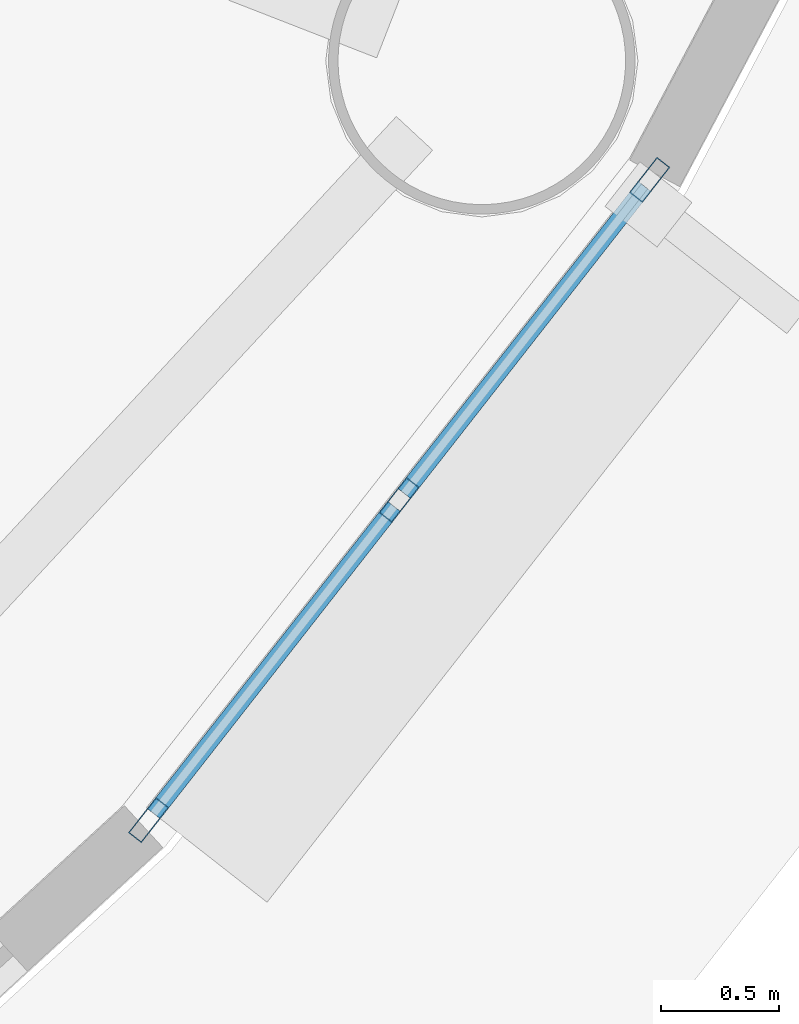
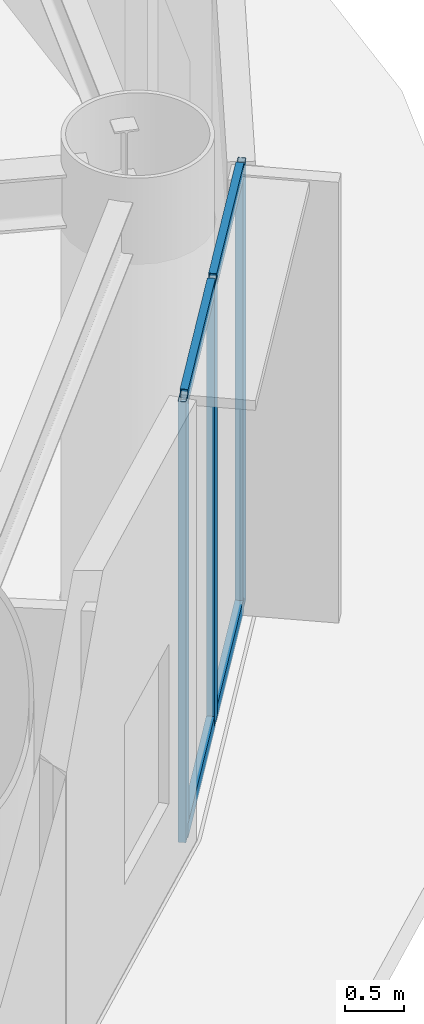
# One storey, part 14 of 38: 7 members, 1 element without a shape of its own.
"""IFC4 building model written with IfcOpenShell, lengths in metres."""

import ifcopenshell
import ifcopenshell.guid

model = None  # the IFC model being written
_history = None  # IfcOwnerHistory: only IFC2X3 demands one
_inside = {}  # id of a spatial element -> (the spatial element, [elements in it])
_under = {}  # id of a project, library or spatial element -> (it, [spatial elements below it])
_declared = {}  # id of a project -> (the project, [libraries it declares])
_typed = {}  # id of a type object -> (the type object, [elements of that type])
_made_of = {}  # id of a material, layer set ... -> (it, [elements and type objects made of it])


def new_model(schema):
    """Start an empty IFC model of exactly this schema.

    Asked for "IFC4X3", IfcOpenShell would pick the latest addendum, in which some entities
    have other attributes; the version numbers below select the first issue.
    IFC2X3 requires an IfcOwnerHistory on every rooted entity: one is made here for all.
    """
    global model, _history
    if schema == "IFC4X3":
        model = ifcopenshell.file(schema_version=(4, 3, 0, 0))
    else:
        model = ifcopenshell.file(schema=schema)
    _inside.clear()
    _under.clear()
    _declared.clear()
    _typed.clear()
    _made_of.clear()
    _history = None
    if model.schema == "IFC2X3":
        org = make("IfcOrganization", Name="unknown")
        user = make(
            "IfcPersonAndOrganization",
            ThePerson=make("IfcPerson", FamilyName="unknown"),
            TheOrganization=org,
        )
        app = make(
            "IfcApplication",
            ApplicationDeveloper=org,
            Version="unknown",
            ApplicationFullName="unknown",
            ApplicationIdentifier="unknown",
        )
        _history = make(
            "IfcOwnerHistory",
            OwningUser=user,
            OwningApplication=app,
            ChangeAction="ADDED",
            CreationDate=0,
        )
    return model


def make(cls, **values):
    """One entity of the class cls with the attributes given. An attribute that is None is left unset."""
    return model.create_entity(
        cls, **{name: value for name, value in values.items() if value is not None}
    )


def rooted(cls, **values):
    """An entity with a GlobalId (a new one), such as an element, a storey or a relation."""
    return make(cls, GlobalId=ifcopenshell.guid.new(), OwnerHistory=_history, **values)


def si_unit(unit_type, name, prefix=None):
    """IfcSIUnit, for example si_unit("LENGTHUNIT", "METRE", prefix="MILLI")."""
    return make("IfcSIUnit", UnitType=unit_type, Prefix=prefix, Name=name)


def assignment(units):
    """IfcUnitAssignment: the units of a project."""
    return None if units is None else make("IfcUnitAssignment", Units=units)


def point(xyz):
    """IfcCartesianPoint."""
    return None if xyz is None else make("IfcCartesianPoint", Coordinates=xyz)


def direction(xyz):
    """IfcDirection."""
    return None if xyz is None else make("IfcDirection", DirectionRatios=xyz)


def frame(location, z_axis=None, x_axis=None):
    """IfcAxis2Placement3D, a coordinate frame: its origin and axes. An axis left out is left unset."""
    return make(
        "IfcAxis2Placement3D",
        Location=point(location),
        Axis=direction(z_axis),
        RefDirection=direction(x_axis),
    )


def frame_2d(location, x_axis=None):
    """IfcAxis2Placement2D, a coordinate frame in the plane: its origin and x axis."""
    return make(
        "IfcAxis2Placement2D", Location=point(location), RefDirection=direction(x_axis)
    )


def origin():
    """The frame at (0, 0, 0) with its axes left unset."""
    return frame((0.0, 0.0, 0.0))


def origin_2d():
    """The frame at (0, 0) in the plane with its x axis left unset."""
    return frame_2d((0.0, 0.0))


def place(relative_to, where):
    """IfcLocalPlacement: puts the frame where relative to a parent placement (None: the world)."""
    return make(
        "IfcLocalPlacement", PlacementRelTo=relative_to, RelativePlacement=where
    )


def context(
    kind, dimensions, precision=None, world=None, true_north=None, identifier=None
):
    """IfcGeometricRepresentationContext, for example the 3D "Model" context."""
    return make(
        "IfcGeometricRepresentationContext",
        ContextIdentifier=identifier,
        ContextType=kind,
        CoordinateSpaceDimension=dimensions,
        Precision=precision,
        WorldCoordinateSystem=world,
        TrueNorth=true_north,
    )


def subcontext(parent, identifier, kind, view, scale=None):
    """IfcGeometricRepresentationSubContext, for example "Body" below "Model"."""
    return make(
        "IfcGeometricRepresentationSubContext",
        ContextIdentifier=identifier,
        ContextType=kind,
        ParentContext=parent,
        TargetScale=scale,
        TargetView=view,
    )


def project(units=None, contexts=None):
    """IfcProject with its units and contexts."""
    return rooted(
        "IfcProject",
        Name="project",
        RepresentationContexts=contexts,
        UnitsInContext=assignment(units),
    )


def spatial(cls, under=None, at=None, **own):
    """A site, building, storey or space (cls), placed at a placement, below another one or the project."""
    s = rooted(cls, ObjectPlacement=at, **own)
    if under is not None:
        _under.setdefault(under.id(), (under, []))[1].append(s)
    return s


def profile(cls, at=None, kind="AREA", **sizes):
    """A parametric profile (cls). Its sizes go by their IFC names, for example OverallWidth=200.0."""
    return make(cls, ProfileType=kind, Position=at, **sizes)


def hollow_rectangle(**sizes):
    """IfcRectangleHollowProfileDef."""
    return profile("IfcRectangleHollowProfileDef", **sizes)


def extrude(swept, where, along, depth):
    """IfcExtrudedAreaSolid: the profile swept, set in the frame where, extruded along a direction by depth."""
    return make(
        "IfcExtrudedAreaSolid",
        SweptArea=swept,
        Position=where,
        ExtrudedDirection=direction(along),
        Depth=depth,
    )


def shape(context_of_items, identifier, shape_type, items):
    """IfcShapeRepresentation: the items that make up one representation, for example the "Body"."""
    return make(
        "IfcShapeRepresentation",
        ContextOfItems=context_of_items,
        RepresentationIdentifier=identifier,
        RepresentationType=shape_type,
        Items=items,
    )


def source(mapping_origin, context_of_items, identifier, shape_type, items):
    """IfcRepresentationMap: a shape defined once, which mapped items show again and again."""
    return make(
        "IfcRepresentationMap",
        MappingOrigin=mapping_origin,
        MappedRepresentation=shape(context_of_items, identifier, shape_type, items),
    )


def transform(
    local_origin,
    x_axis=None,
    y_axis=None,
    z_axis=None,
    scale=None,
    scale2=None,
    scale3=None,
    uniform=True,
):
    """IfcCartesianTransformationOperator3D, or its non-uniform kind. x_axis, y_axis, z_axis: its Axis1, 2, 3."""
    if uniform:
        return make(
            "IfcCartesianTransformationOperator3D",
            Axis1=direction(x_axis),
            Axis2=direction(y_axis),
            LocalOrigin=point(local_origin),
            Scale=scale,
            Axis3=direction(z_axis),
        )
    return make(
        "IfcCartesianTransformationOperator3DnonUniform",
        Axis1=direction(x_axis),
        Axis2=direction(y_axis),
        LocalOrigin=point(local_origin),
        Scale=scale,
        Axis3=direction(z_axis),
        Scale2=scale2,
        Scale3=scale3,
    )


def mapped(mapping_source, mapping_target):
    """IfcMappedItem: shows the shape of a source again, moved by a transform."""
    return make(
        "IfcMappedItem", MappingSource=mapping_source, MappingTarget=mapping_target
    )


def material(Name=None, Category=None):
    """IfcMaterial."""
    return make("IfcMaterial", Name=Name, Category=Category)


def layer(
    of_material, thickness, ventilated=None, Name=None, Category=None, Priority=None
):
    """IfcMaterialLayer: one layer of a wall or slab, of a material (None: an air gap)."""
    return make(
        "IfcMaterialLayer",
        Material=of_material,
        LayerThickness=thickness,
        IsVentilated=ventilated,
        Name=Name,
        Category=Category,
        Priority=Priority,
    )


def layer_set(layers, Name=None):
    """IfcMaterialLayerSet."""
    return make("IfcMaterialLayerSet", MaterialLayers=layers, LayerSetName=Name)


def material_profile(
    of_material, cross_section, Name=None, Category=None, Priority=None
):
    """IfcMaterialProfile: a cross section and its material."""
    return make(
        "IfcMaterialProfile",
        Name=Name,
        Material=of_material,
        Profile=cross_section,
        Priority=Priority,
        Category=Category,
    )


def profile_set(profiles, Name=None, composite=None):
    """IfcMaterialProfileSet."""
    return make(
        "IfcMaterialProfileSet",
        Name=Name,
        MaterialProfiles=profiles,
        CompositeProfile=composite,
    )


def made_of(thing, what):
    """Note that an element or type object is made of a material, layer set ...; save() writes the relation."""
    if what is not None:
        _made_of.setdefault(what.id(), (what, []))[1].append(thing)
    return thing


def type_object(cls, material=None, **own):
    """A type object (cls), such as IfcWallType, which elements share."""
    return made_of(rooted(cls, **own), material)


def element(
    cls,
    number,
    at=None,
    inside=None,
    cuts=None,
    type_object=None,
    material=None,
    context=None,
    identifier="Body",
    shape_type=None,
    held_by="IfcProductDefinitionShape",
    body=None,
    shapes=None,
    **own,
):
    """One element of the class cls, such as IfcWall. Its Tag is "e" and its number.

    at: its placement. inside: the storey or other place that contains it. cuts: it is an
    opening in that element (IfcRelVoidsElement). A single representation is given by context,
    identifier, shape_type and body (its items); several are given by shapes. held_by: the class
    of the entity that holds the representations. save() writes the other relations.
    """
    e = rooted(cls, Tag="e%d" % number, ObjectPlacement=at, **own)
    if body is not None:
        shapes = [shape(context, identifier, shape_type, body)]
    if shapes is not None:
        e.Representation = make(held_by, Representations=shapes)
    if inside is not None:
        _inside.setdefault(inside.id(), (inside, []))[1].append(e)
    if cuts is not None:
        rooted(
            "IfcRelVoidsElement", RelatingBuildingElement=cuts, RelatedOpeningElement=e
        )
    if type_object is not None:
        _typed.setdefault(type_object.id(), (type_object, []))[1].append(e)
    return made_of(e, material)


def aggregate(whole, parts):
    """IfcRelAggregates: a whole, such as a stair, and the parts it consists of."""
    return rooted("IfcRelAggregates", RelatingObject=whole, RelatedObjects=parts)


def save(model, path):
    """Write the relations noted so far, then the file.

    IfcRelAggregates (storeys below a building ...), IfcRelContainedInSpatialStructure (elements
    in a storey), IfcRelDefinesByType, IfcRelAssociatesMaterial and IfcRelDeclares: one each for
    every whole, place, type object, material and project.
    """
    for whole, parts in _under.values():
        aggregate(whole, parts)
    for where, things in _inside.values():
        rooted(
            "IfcRelContainedInSpatialStructure",
            RelatedElements=things,
            RelatingStructure=where,
        )
    for kind, things in _typed.values():
        rooted("IfcRelDefinesByType", RelatedObjects=things, RelatingType=kind)
    for what, things in _made_of.values():
        rooted("IfcRelAssociatesMaterial", RelatedObjects=things, RelatingMaterial=what)
    for by, libraries in _declared.values():
        rooted("IfcRelDeclares", RelatingContext=by, RelatedDefinitions=libraries)
    model.write(path)


model = new_model("IFC4")

# Units and contexts
model_context = context("Model", 3, precision=1e-05, world=origin(), true_north=direction((0.0, 1.0)))
body_context = subcontext(model_context, "Body", "Model", "MODEL_VIEW")
ifc_project = project(units=[si_unit("LENGTHUNIT", "METRE"), si_unit("AREAUNIT", "SQUARE_METRE"), si_unit("VOLUMEUNIT", "CUBIC_METRE"), si_unit("PLANEANGLEUNIT", "RADIAN"), si_unit("MASSUNIT", "GRAM", prefix="KILO")], contexts=[model_context])

# Site, building, storey
site_placement = place(None, origin())
site = spatial("IfcSite", under=ifc_project, at=site_placement, CompositionType="ELEMENT")
building_placement = place(site_placement, origin())
building = spatial("IfcBuilding", under=site, at=building_placement, Name="Linh Dai School and Residence Tower", CompositionType="ELEMENT")
storey_placement = place(building_placement, frame((0.0, 0.0, 151.35009765625)))
storey = spatial("IfcBuildingStorey", under=building, at=storey_placement, Name="L36", CompositionType="ELEMENT", Elevation=151.35009765625)

# Curtain wall, members
ifc_material_1 = material(Name="Aluminium Anodised Curtain Wall", Category="aluminium")
ifc_layer = layer(ifc_material_1, 0.18994140625)
ifc_layer_set = layer_set([ifc_layer], Name="Aluminium Anodised Curtain Wall")
curtain_wall_type = type_object("IfcCurtainWallType", Name="CW-SYS-5", PredefinedType="USERDEFINED", material=ifc_layer_set)
curtain_wall_placement = place(storey_placement, origin())
curtain_wall = element("IfcCurtainWall", 1, at=curtain_wall_placement, inside=storey, type_object=curtain_wall_type, Name="L36 CW5 Curtain Wall 37", ObjectType="UNITISED CURTAIN WALL", PredefinedType="USERDEFINED")
ifc_material_2 = material(Name="Aluminium Alloy 6063-T6", Category="aluminium")
ifc_material_profile_1 = material_profile(ifc_material_2, hollow_rectangle(XDim=0.070068359375, YDim=0.18994140625, WallThickness=0.00390625, at=origin_2d()), Name="RHS 190x70x4")
ifc_profile_set_1 = profile_set([ifc_material_profile_1], Name="Aluminium Alloy 6063-T6")
member_type_1 = type_object("IfcMemberType", Name="CW-SYS-5-MUL", PredefinedType="MULLION", material=ifc_profile_set_1)
shared_shape_1 = source(origin(), body_context, "Body", "SweptSolid", [
    extrude(hollow_rectangle(XDim=0.070068359375, YDim=0.18994140625, WallThickness=0.00390625, at=origin_2d()), origin(), (0.0, 0.0, 1.0), 4.5498046875),
])
member_1_placement = place(storey_placement, frame((59.574462890625, 17.583984375, 0.0), z_axis=(0.0, 0.0, 1.0), x_axis=(0.787522158319, -0.616286337798, 0.0)))
member_1 = element("IfcMember", 2, at=member_1_placement, type_object=member_type_1, Name="CW5 mullion 1", PredefinedType="MULLION", context=body_context, shape_type="MappedRepresentation", body=[
    mapped(shared_shape_1, transform((0.0, 0.0, 0.0), x_axis=(1.0, 0.0, 0.0), y_axis=(0.0, 1.0, 0.0), z_axis=(0.0, 0.0, 1.0), scale=1.0)),
])
member_2_placement = place(storey_placement, frame((58.51220703125, 16.2265625, 0.0), z_axis=(0.0, 0.0, 1.0), x_axis=(0.787522158319, -0.616286337798, 0.0)))
member_2 = element("IfcMember", 3, at=member_2_placement, type_object=member_type_1, Name="CW5 mullion 2", PredefinedType="MULLION", context=body_context, shape_type="MappedRepresentation", body=[
    mapped(shared_shape_1, transform((0.0, 0.0, 0.0), x_axis=(1.0, 0.0, 0.0), y_axis=(0.0, 1.0, 0.0), z_axis=(0.0, 0.0, 1.0), scale=1.0)),
])
member_3_placement = place(storey_placement, frame((57.44970703125, 14.868896484375, 0.0), z_axis=(0.0, 0.0, 1.0), x_axis=(0.787522158319, -0.616286337798, 0.0)))
member_3 = element("IfcMember", 4, at=member_3_placement, type_object=member_type_1, Name="CW5 mullion 3", PredefinedType="MULLION", context=body_context, shape_type="MappedRepresentation", body=[
    mapped(shared_shape_1, transform((0.0, 0.0, 0.0), x_axis=(1.0, 0.0, 0.0), y_axis=(0.0, 1.0, 0.0), z_axis=(0.0, 0.0, 1.0), scale=1.0)),
])
ifc_material_profile_2 = material_profile(ifc_material_2, hollow_rectangle(XDim=0.070068359375, YDim=0.14990234375, WallThickness=0.00390625, at=origin_2d()), Name="RHS 150x70x4")
ifc_profile_set_2 = profile_set([ifc_material_profile_2], Name="Aluminium Alloy 6063-T6")
member_type_2 = type_object("IfcMemberType", Name="CW-SYS-5-TRN", PredefinedType="USERDEFINED", material=ifc_profile_set_2)
shared_shape_2 = source(origin(), body_context, "Body", "SweptSolid", [
    extrude(hollow_rectangle(XDim=0.070068359375, YDim=0.14990234375, WallThickness=0.00390625, at=origin_2d()), origin(), (0.0, 0.0, 1.0), 1.65380859375),
])
member_4_placement = place(storey_placement, frame((59.552978515625, 17.556396484375, 0.034912109375), z_axis=(-0.616360009109, -0.787464500261, 0.0), x_axis=(0.787464500261, -0.616360009109, 0.0)))
member_4 = element("IfcMember", 5, at=member_4_placement, type_object=member_type_2, Name="CW5 transom 1.1", ObjectType="TRANSOM", PredefinedType="USERDEFINED", context=body_context, shape_type="MappedRepresentation", body=[
    mapped(shared_shape_2, transform((0.0, 0.0, 0.0), x_axis=(1.0, 0.0, 0.0), y_axis=(0.0, 1.0, 0.0), z_axis=(0.0, 0.0, 1.0), scale=1.0)),
])
member_5_placement = place(storey_placement, frame((59.552978515625, 17.556396484375, 4.514892578125), z_axis=(-0.616360009109, -0.787464500261, 0.0), x_axis=(0.787464500261, -0.616360009109, 0.0)))
member_5 = element("IfcMember", 6, at=member_5_placement, type_object=member_type_2, Name="CW5 transom 1.2", ObjectType="TRANSOM", PredefinedType="USERDEFINED", context=body_context, shape_type="MappedRepresentation", body=[
    mapped(shared_shape_2, transform((0.0, 0.0, 0.0), x_axis=(1.0, 0.0, 0.0), y_axis=(0.0, 1.0, 0.0), z_axis=(0.0, 0.0, 1.0), scale=1.0)),
])
member_6_placement = place(storey_placement, frame((58.490478515625, 16.198974609375, 0.034912109375), z_axis=(-0.616196799389, -0.787592219631, 0.0), x_axis=(0.787592219631, -0.616196799389, 0.0)))
member_6 = element("IfcMember", 7, at=member_6_placement, type_object=member_type_2, Name="CW5 transom 2.1", ObjectType="TRANSOM", PredefinedType="USERDEFINED", context=body_context, shape_type="MappedRepresentation", body=[
    mapped(shared_shape_2, transform((0.0, 0.0, 0.0), x_axis=(1.0, 0.0, 0.0), y_axis=(0.0, 1.0, 0.0), z_axis=(0.0, 0.0, 1.0), scale=1.0)),
])
member_7_placement = place(storey_placement, frame((58.490478515625, 16.198974609375, 4.514892578125), z_axis=(-0.616196799389, -0.787592219631, 0.0), x_axis=(0.787592219631, -0.616196799389, 0.0)))
member_7 = element("IfcMember", 8, at=member_7_placement, type_object=member_type_2, Name="CW5 transom 2.2", ObjectType="TRANSOM", PredefinedType="USERDEFINED", context=body_context, shape_type="MappedRepresentation", body=[
    mapped(shared_shape_2, transform((0.0, 0.0, 0.0), x_axis=(1.0, 0.0, 0.0), y_axis=(0.0, 1.0, 0.0), z_axis=(0.0, 0.0, 1.0), scale=1.0)),
])
aggregate(curtain_wall, [member_1, member_2, member_3, member_4, member_5, member_6, member_7])

save(model, "model.ifc")
